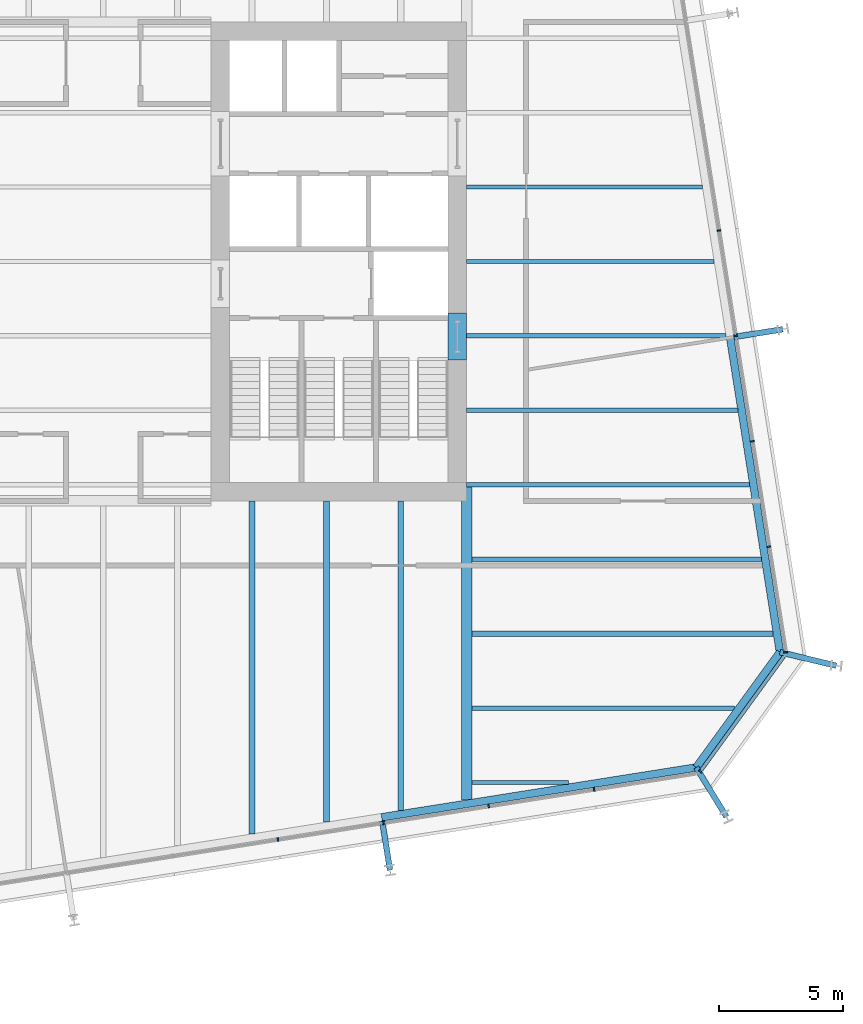
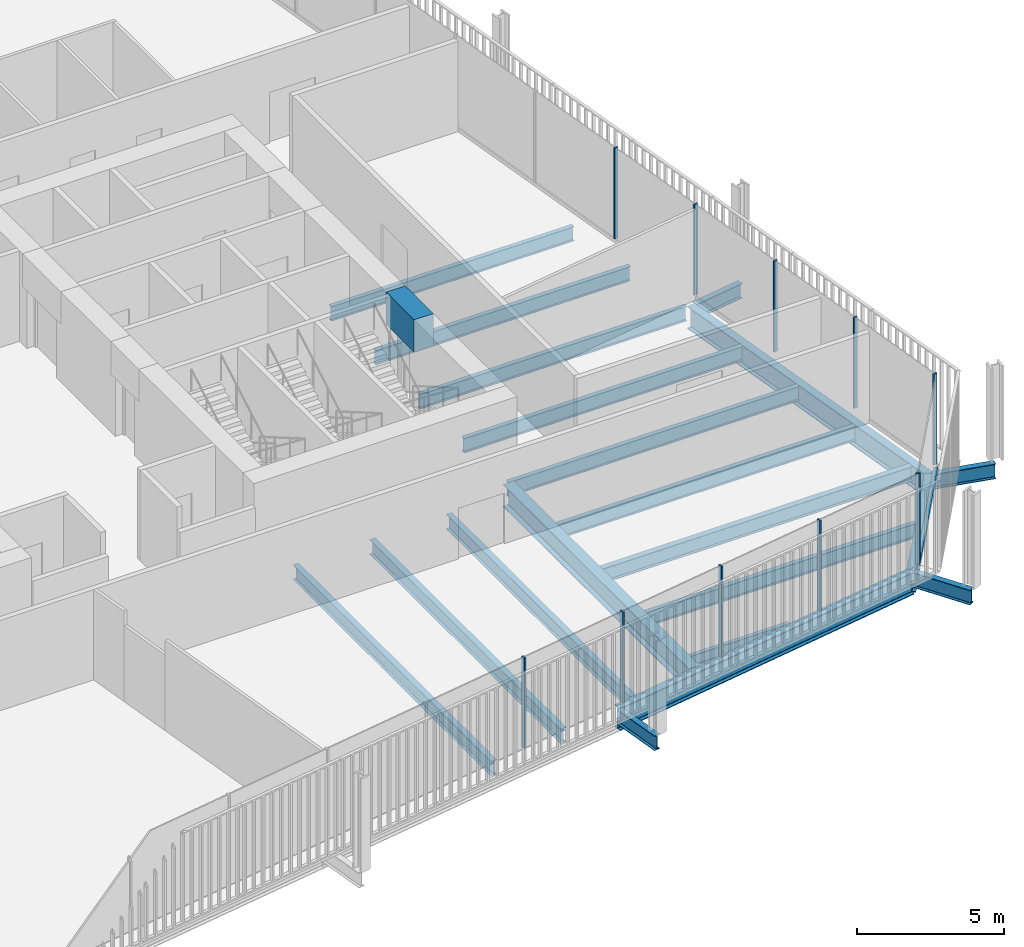
# One storey, part 8 of 21: 21 beams, 11 members, 3 elements without a shape of their own.
"""IFC4 building model written with IfcOpenShell, lengths in metres."""

import ifcopenshell
import ifcopenshell.guid

model = None  # the IFC model being written
_history = None  # IfcOwnerHistory: only IFC2X3 demands one
_inside = {}  # id of a spatial element -> (the spatial element, [elements in it])
_under = {}  # id of a project, library or spatial element -> (it, [spatial elements below it])
_declared = {}  # id of a project -> (the project, [libraries it declares])
_typed = {}  # id of a type object -> (the type object, [elements of that type])
_made_of = {}  # id of a material, layer set ... -> (it, [elements and type objects made of it])


def new_model(schema):
    """Start an empty IFC model of exactly this schema.

    Asked for "IFC4X3", IfcOpenShell would pick the latest addendum, in which some entities
    have other attributes; the version numbers below select the first issue.
    IFC2X3 requires an IfcOwnerHistory on every rooted entity: one is made here for all.
    """
    global model, _history
    if schema == "IFC4X3":
        model = ifcopenshell.file(schema_version=(4, 3, 0, 0))
    else:
        model = ifcopenshell.file(schema=schema)
    _inside.clear()
    _under.clear()
    _declared.clear()
    _typed.clear()
    _made_of.clear()
    _history = None
    if model.schema == "IFC2X3":
        org = make("IfcOrganization", Name="unknown")
        user = make(
            "IfcPersonAndOrganization",
            ThePerson=make("IfcPerson", FamilyName="unknown"),
            TheOrganization=org,
        )
        app = make(
            "IfcApplication",
            ApplicationDeveloper=org,
            Version="unknown",
            ApplicationFullName="unknown",
            ApplicationIdentifier="unknown",
        )
        _history = make(
            "IfcOwnerHistory",
            OwningUser=user,
            OwningApplication=app,
            ChangeAction="ADDED",
            CreationDate=0,
        )
    return model


def make(cls, **values):
    """One entity of the class cls with the attributes given. An attribute that is None is left unset."""
    return model.create_entity(
        cls, **{name: value for name, value in values.items() if value is not None}
    )


def rooted(cls, **values):
    """An entity with a GlobalId (a new one), such as an element, a storey or a relation."""
    return make(cls, GlobalId=ifcopenshell.guid.new(), OwnerHistory=_history, **values)


def si_unit(unit_type, name, prefix=None):
    """IfcSIUnit, for example si_unit("LENGTHUNIT", "METRE", prefix="MILLI")."""
    return make("IfcSIUnit", UnitType=unit_type, Prefix=prefix, Name=name)


def assignment(units):
    """IfcUnitAssignment: the units of a project."""
    return None if units is None else make("IfcUnitAssignment", Units=units)


def point(xyz):
    """IfcCartesianPoint."""
    return None if xyz is None else make("IfcCartesianPoint", Coordinates=xyz)


def direction(xyz):
    """IfcDirection."""
    return None if xyz is None else make("IfcDirection", DirectionRatios=xyz)


def frame(location, z_axis=None, x_axis=None):
    """IfcAxis2Placement3D, a coordinate frame: its origin and axes. An axis left out is left unset."""
    return make(
        "IfcAxis2Placement3D",
        Location=point(location),
        Axis=direction(z_axis),
        RefDirection=direction(x_axis),
    )


def frame_2d(location, x_axis=None):
    """IfcAxis2Placement2D, a coordinate frame in the plane: its origin and x axis."""
    return make(
        "IfcAxis2Placement2D", Location=point(location), RefDirection=direction(x_axis)
    )


def origin():
    """The frame at (0, 0, 0) with its axes left unset."""
    return frame((0.0, 0.0, 0.0))


def origin_2d():
    """The frame at (0, 0) in the plane with its x axis left unset."""
    return frame_2d((0.0, 0.0))


def place(relative_to, where):
    """IfcLocalPlacement: puts the frame where relative to a parent placement (None: the world)."""
    return make(
        "IfcLocalPlacement", PlacementRelTo=relative_to, RelativePlacement=where
    )


def context(
    kind, dimensions, precision=None, world=None, true_north=None, identifier=None
):
    """IfcGeometricRepresentationContext, for example the 3D "Model" context."""
    return make(
        "IfcGeometricRepresentationContext",
        ContextIdentifier=identifier,
        ContextType=kind,
        CoordinateSpaceDimension=dimensions,
        Precision=precision,
        WorldCoordinateSystem=world,
        TrueNorth=true_north,
    )


def subcontext(parent, identifier, kind, view, scale=None):
    """IfcGeometricRepresentationSubContext, for example "Body" below "Model"."""
    return make(
        "IfcGeometricRepresentationSubContext",
        ContextIdentifier=identifier,
        ContextType=kind,
        ParentContext=parent,
        TargetScale=scale,
        TargetView=view,
    )


def project(units=None, contexts=None):
    """IfcProject with its units and contexts."""
    return rooted(
        "IfcProject",
        Name="project",
        RepresentationContexts=contexts,
        UnitsInContext=assignment(units),
    )


def spatial(cls, under=None, at=None, **own):
    """A site, building, storey or space (cls), placed at a placement, below another one or the project."""
    s = rooted(cls, ObjectPlacement=at, **own)
    if under is not None:
        _under.setdefault(under.id(), (under, []))[1].append(s)
    return s


def profile(cls, at=None, kind="AREA", **sizes):
    """A parametric profile (cls). Its sizes go by their IFC names, for example OverallWidth=200.0."""
    return make(cls, ProfileType=kind, Position=at, **sizes)


def rectangle(**sizes):
    """IfcRectangleProfileDef."""
    return profile("IfcRectangleProfileDef", **sizes)


def i_section(**sizes):
    """IfcIShapeProfileDef."""
    return profile("IfcIShapeProfileDef", **sizes)


def extrude(swept, where, along, depth):
    """IfcExtrudedAreaSolid: the profile swept, set in the frame where, extruded along a direction by depth."""
    return make(
        "IfcExtrudedAreaSolid",
        SweptArea=swept,
        Position=where,
        ExtrudedDirection=direction(along),
        Depth=depth,
    )


def shape(context_of_items, identifier, shape_type, items):
    """IfcShapeRepresentation: the items that make up one representation, for example the "Body"."""
    return make(
        "IfcShapeRepresentation",
        ContextOfItems=context_of_items,
        RepresentationIdentifier=identifier,
        RepresentationType=shape_type,
        Items=items,
    )


def material(Name=None, Category=None):
    """IfcMaterial."""
    return make("IfcMaterial", Name=Name, Category=Category)


def layer(
    of_material, thickness, ventilated=None, Name=None, Category=None, Priority=None
):
    """IfcMaterialLayer: one layer of a wall or slab, of a material (None: an air gap)."""
    return make(
        "IfcMaterialLayer",
        Material=of_material,
        LayerThickness=thickness,
        IsVentilated=ventilated,
        Name=Name,
        Category=Category,
        Priority=Priority,
    )


def layer_set(layers, Name=None):
    """IfcMaterialLayerSet."""
    return make("IfcMaterialLayerSet", MaterialLayers=layers, LayerSetName=Name)


def material_profile(
    of_material, cross_section, Name=None, Category=None, Priority=None
):
    """IfcMaterialProfile: a cross section and its material."""
    return make(
        "IfcMaterialProfile",
        Name=Name,
        Material=of_material,
        Profile=cross_section,
        Priority=Priority,
        Category=Category,
    )


def profile_set(profiles, Name=None, composite=None):
    """IfcMaterialProfileSet."""
    return make(
        "IfcMaterialProfileSet",
        Name=Name,
        MaterialProfiles=profiles,
        CompositeProfile=composite,
    )


def made_of(thing, what):
    """Note that an element or type object is made of a material, layer set ...; save() writes the relation."""
    if what is not None:
        _made_of.setdefault(what.id(), (what, []))[1].append(thing)
    return thing


def type_object(cls, material=None, **own):
    """A type object (cls), such as IfcWallType, which elements share."""
    return made_of(rooted(cls, **own), material)


def element(
    cls,
    number,
    at=None,
    inside=None,
    cuts=None,
    type_object=None,
    material=None,
    context=None,
    identifier="Body",
    shape_type=None,
    held_by="IfcProductDefinitionShape",
    body=None,
    shapes=None,
    **own,
):
    """One element of the class cls, such as IfcWall. Its Tag is "e" and its number.

    at: its placement. inside: the storey or other place that contains it. cuts: it is an
    opening in that element (IfcRelVoidsElement). A single representation is given by context,
    identifier, shape_type and body (its items); several are given by shapes. held_by: the class
    of the entity that holds the representations. save() writes the other relations.
    """
    e = rooted(cls, Tag="e%d" % number, ObjectPlacement=at, **own)
    if body is not None:
        shapes = [shape(context, identifier, shape_type, body)]
    if shapes is not None:
        e.Representation = make(held_by, Representations=shapes)
    if inside is not None:
        _inside.setdefault(inside.id(), (inside, []))[1].append(e)
    if cuts is not None:
        rooted(
            "IfcRelVoidsElement", RelatingBuildingElement=cuts, RelatedOpeningElement=e
        )
    if type_object is not None:
        _typed.setdefault(type_object.id(), (type_object, []))[1].append(e)
    return made_of(e, material)


def aggregate(whole, parts):
    """IfcRelAggregates: a whole, such as a stair, and the parts it consists of."""
    return rooted("IfcRelAggregates", RelatingObject=whole, RelatedObjects=parts)


def save(model, path):
    """Write the relations noted so far, then the file.

    IfcRelAggregates (storeys below a building ...), IfcRelContainedInSpatialStructure (elements
    in a storey), IfcRelDefinesByType, IfcRelAssociatesMaterial and IfcRelDeclares: one each for
    every whole, place, type object, material and project.
    """
    for whole, parts in _under.values():
        aggregate(whole, parts)
    for where, things in _inside.values():
        rooted(
            "IfcRelContainedInSpatialStructure",
            RelatedElements=things,
            RelatingStructure=where,
        )
    for kind, things in _typed.values():
        rooted("IfcRelDefinesByType", RelatedObjects=things, RelatingType=kind)
    for what, things in _made_of.values():
        rooted("IfcRelAssociatesMaterial", RelatedObjects=things, RelatingMaterial=what)
    for by, libraries in _declared.values():
        rooted("IfcRelDeclares", RelatingContext=by, RelatedDefinitions=libraries)
    model.write(path)


model = new_model("IFC4")

# Units and contexts
model_context = context("Model", 3, precision=1e-05, world=origin(), true_north=direction((0.0, 1.0)))
body_context = subcontext(model_context, "Body", "Model", "MODEL_VIEW")
ifc_project = project(units=[si_unit("LENGTHUNIT", "METRE"), si_unit("AREAUNIT", "SQUARE_METRE"), si_unit("VOLUMEUNIT", "CUBIC_METRE"), si_unit("PLANEANGLEUNIT", "RADIAN"), si_unit("MASSUNIT", "GRAM", prefix="KILO")], contexts=[model_context])

# Site, building, storey
site_placement = place(None, origin())
site = spatial("IfcSite", under=ifc_project, at=site_placement, CompositionType="ELEMENT")
building_placement = place(site_placement, origin())
building = spatial("IfcBuilding", under=site, at=building_placement, Name="Millrace Tower", CompositionType="ELEMENT")
storey_placement = place(building_placement, frame((0.0, 0.0, 156.800048828125)))
storey = spatial("IfcBuildingStorey", under=building, at=storey_placement, Name="L35", CompositionType="ELEMENT", Elevation=156.800048828125)

# Curtain wall, members
ifc_material_1 = material(Name="Aluminium and glass", Category="aluminium")
ifc_layer = layer(ifc_material_1, 0.14990234375)
ifc_layer_set = layer_set([ifc_layer], Name="Aluminium and glass")
curtain_wall_type = type_object("IfcCurtainWallType", Name="CW-1 office vision curtain wall", PredefinedType="NOTDEFINED", material=ifc_layer_set)
placement = place(storey_placement, origin())
curtain_wall_1 = element("IfcCurtainWall", 1, at=placement, inside=storey, type_object=curtain_wall_type, Name="Curtain wall C-F02 L35", PredefinedType="NOTDEFINED")
ifc_material_2 = material(Name="Aluminium", Category="aluminium")
ifc_material_profile_1 = material_profile(ifc_material_2, rectangle(XDim=0.06494140625, YDim=0.14990234375, at=origin_2d()))
ifc_profile_set_1 = profile_set([ifc_material_profile_1], Name="Aluminium")
member_type_1 = type_object("IfcMemberType", Name="CW-1 office vision curtain wall mullion", PredefinedType="MULLION", material=ifc_profile_set_1)
member_1_placement = place(storey_placement, frame((7.04345703125, -23.293212890625, 0.139892578125), z_axis=(0.0, 0.0, 1.0), x_axis=(0.98768833929, 0.15643447328, 0.0)))
member_1 = element("IfcMember", 2, at=member_1_placement, type_object=member_type_1, Name="CW1 mullion C-F02.6", PredefinedType="MULLION", context=body_context, shape_type="SweptSolid", body=[
    extrude(rectangle(XDim=0.06494140625, YDim=0.14990234375, at=origin_2d()), origin(), (0.0, 0.0, 1.0), 3.760009765625),
])
member_2_placement = place(storey_placement, frame((11.29052734375, -22.62060546875, 0.139892578125), z_axis=(0.0, 0.0, 1.0), x_axis=(0.98768833929, 0.15643447328, 0.0)))
member_2 = element("IfcMember", 3, at=member_2_placement, type_object=member_type_1, Name="CW1 mullion C-F02.7", PredefinedType="MULLION", context=body_context, shape_type="SweptSolid", body=[
    extrude(rectangle(XDim=0.06494140625, YDim=0.14990234375, at=origin_2d()), origin(), (0.0, 0.0, 1.0), 3.760009765625),
])
member_3_placement = place(storey_placement, frame((15.53759765625, -21.947998046875, 0.139892578125), z_axis=(0.0, 0.0, 1.0), x_axis=(0.98768833929, 0.15643447328, 0.0)))
member_3 = element("IfcMember", 4, at=member_3_placement, type_object=member_type_1, Name="CW1 mullion C-F02.8", PredefinedType="MULLION", context=body_context, shape_type="SweptSolid", body=[
    extrude(rectangle(XDim=0.06494140625, YDim=0.14990234375, at=origin_2d()), origin(), (0.0, 0.0, 1.0), 3.760009765625),
])
member_4_placement = place(storey_placement, frame((19.78466796875, -21.275390625, 0.139892578125), z_axis=(0.0, 0.0, 1.0), x_axis=(0.98768833929, 0.15643447328, 0.0)))
member_4 = element("IfcMember", 5, at=member_4_placement, type_object=member_type_1, Name="CW1 mullion C-F02.9", PredefinedType="MULLION", context=body_context, shape_type="SweptSolid", body=[
    extrude(rectangle(XDim=0.06494140625, YDim=0.14990234375, at=origin_2d()), origin(), (0.0, 0.0, 1.0), 3.760009765625),
])
aggregate(curtain_wall_1, [member_1, member_2, member_3, member_4])

# Curtain wall, member
curtain_wall_2 = element("IfcCurtainWall", 6, at=placement, inside=storey, type_object=curtain_wall_type, Name="Curtain wall C-F03 L35", PredefinedType="NOTDEFINED")
member_5_placement = place(storey_placement, frame((24.06787109375, -20.551513671875, 0.139892578125), z_axis=(0.0, 0.0, 1.0), x_axis=(0.587785269844, 0.809016981623, 0.0)))
member_5 = element("IfcMember", 7, at=member_5_placement, type_object=member_type_1, Name="CW1 mullion C-F03.1", PredefinedType="MULLION", context=body_context, shape_type="SweptSolid", body=[
    extrude(rectangle(XDim=0.06494140625, YDim=0.14990234375, at=origin_2d()), origin(), (0.0, 0.0, 1.0), 3.760009765625),
])

# Curtain wall, members
curtain_wall_3 = element("IfcCurtainWall", 8, at=placement, inside=storey, type_object=curtain_wall_type, Name="Curtain wall C-F04 L35", PredefinedType="NOTDEFINED")
member_6_placement = place(storey_placement, frame((27.506591796875, -15.74169921875, 0.139892578125), z_axis=(0.0, 0.0, 1.0), x_axis=(-0.15643447328, 0.98768833929, 0.0)))
member_6 = element("IfcMember", 9, at=member_6_placement, type_object=member_type_1, Name="CW1 mullion C-F04.1", PredefinedType="MULLION", context=body_context, shape_type="SweptSolid", body=[
    extrude(rectangle(XDim=0.06494140625, YDim=0.14990234375, at=origin_2d()), origin(), (0.0, 0.0, 1.0), 3.760009765625),
])
member_7_placement = place(storey_placement, frame((26.833984375, -11.49462890625, 0.139892578125), z_axis=(0.0, 0.0, 1.0), x_axis=(-0.15643447328, 0.98768833929, 0.0)))
member_7 = element("IfcMember", 10, at=member_7_placement, type_object=member_type_1, Name="CW1 mullion C-F04.2", PredefinedType="MULLION", context=body_context, shape_type="SweptSolid", body=[
    extrude(rectangle(XDim=0.06494140625, YDim=0.14990234375, at=origin_2d()), origin(), (0.0, 0.0, 1.0), 3.760009765625),
])
member_8_placement = place(storey_placement, frame((26.161376953125, -7.24755859375, 0.139892578125), z_axis=(0.0, 0.0, 1.0), x_axis=(-0.15643447328, 0.98768833929, 0.0)))
member_8 = element("IfcMember", 11, at=member_8_placement, type_object=member_type_1, Name="CW1 mullion C-F04.3", PredefinedType="MULLION", context=body_context, shape_type="SweptSolid", body=[
    extrude(rectangle(XDim=0.06494140625, YDim=0.14990234375, at=origin_2d()), origin(), (0.0, 0.0, 1.0), 3.760009765625),
])
member_9_placement = place(storey_placement, frame((25.48876953125, -3.00048828125, 0.139892578125), z_axis=(0.0, 0.0, 1.0), x_axis=(-0.15643447328, 0.98768833929, 0.0)))
member_9 = element("IfcMember", 12, at=member_9_placement, type_object=member_type_1, Name="CW1 mullion C-F04.4", PredefinedType="MULLION", context=body_context, shape_type="SweptSolid", body=[
    extrude(rectangle(XDim=0.06494140625, YDim=0.14990234375, at=origin_2d()), origin(), (0.0, 0.0, 1.0), 3.760009765625),
])
member_10_placement = place(storey_placement, frame((24.81591796875, 1.24658203125, 0.139892578125), z_axis=(0.0, 0.0, 1.0), x_axis=(-0.15643447328, 0.98768833929, 0.0)))
member_10 = element("IfcMember", 13, at=member_10_placement, type_object=member_type_1, Name="CW1 mullion C-F04.5", PredefinedType="MULLION", context=body_context, shape_type="SweptSolid", body=[
    extrude(rectangle(XDim=0.06494140625, YDim=0.14990234375, at=origin_2d()), origin(), (0.0, 0.0, 1.0), 3.760009765625),
])
aggregate(curtain_wall_3, [member_6, member_7, member_8, member_9, member_10])

# Member
ifc_material_3 = material(Name="Aluminium", Category="aluminium")
ifc_material_profile_2 = material_profile(ifc_material_3, rectangle(XDim=0.14990234375, YDim=0.139892578125, at=origin_2d()))
ifc_profile_set_2 = profile_set([ifc_material_profile_2], Name="Aluminium")
member_type_2 = type_object("IfcMemberType", Name="CW-1 office vision curtain wall transom", PredefinedType="USERDEFINED", material=ifc_profile_set_2)
member_11_placement = place(storey_placement, frame((24.107421875, -20.496826171875, 0.070068359375), z_axis=(0.587810581339, 0.808998591139, 0.0), x_axis=(-0.808998591139, 0.587810581339, 0.0)))
member_11 = element("IfcMember", 14, at=member_11_placement, type_object=member_type_2, Name="CW1 transom C-F03.1", ObjectType="TRANSOM", PredefinedType="USERDEFINED", context=body_context, shape_type="SweptSolid", body=[
    extrude(rectangle(XDim=0.14990234375, YDim=0.139892578125, at=origin_2d()), origin(), (0.0, 0.0, 1.0), 5.6689453125),
])

aggregate(curtain_wall_2, [member_5, member_11])

# Beams
ifc_material_4 = material(Name="Concrete C70", Category="concrete")
ifc_material_profile_3 = material_profile(ifc_material_4, rectangle(XDim=0.75, YDim=1.340087890625, at=origin_2d()))
ifc_profile_set_3 = profile_set([ifc_material_profile_3], Name="Concrete C70")
beam_type_1 = type_object("IfcBeamType", Name="Coupling beam 750 x 1340 Concrete C70, 1300 opening", PredefinedType="BEAM", material=ifc_profile_set_3)
beam_1_placement = place(storey_placement, frame((14.27490234375, -2.080078125, 3.070068359375), z_axis=(0.0, -1.0, 0.0), x_axis=(1.0, 0.0, 0.0)))
element("IfcBeam", 15, at=beam_1_placement, inside=storey, type_object=beam_type_1, Name="Coupling beam E L35", PredefinedType="BEAM", context=body_context, shape_type="SweptSolid", body=[
    extrude(rectangle(XDim=0.75, YDim=1.340087890625, at=origin_2d()), origin(), (0.0, 0.0, 1.0), 1.89990234375),
])
ifc_material_5 = material(Name="Steel ASTM A992 Grade 50", Category="steel")
ifc_material_profile_4 = material_profile(ifc_material_5, i_section(OverallWidth=0.15234375, OverallDepth=0.449462890625, WebThickness=0.007568359375, FlangeThickness=0.0107421875, FilletRadius=0.01025390625, at=origin_2d()))
ifc_profile_set_4 = profile_set([ifc_material_profile_4], Name="Steel ASTM A992 Grade 50")
beam_type_2 = type_object("IfcBeamType", Name="Floor beam W18x35", PredefinedType="JOIST", material=ifc_profile_set_4)
beam_2_placement = place(storey_placement, frame((14.859619140625, -21.0, -0.384765625), z_axis=(1.0, 0.0, 0.0), x_axis=(0.0, 1.0, 0.0)))
element("IfcBeam", 16, at=beam_2_placement, inside=storey, type_object=beam_type_2, Name="BM-C-L35-S1-S003", PredefinedType="JOIST", context=body_context, shape_type="SweptSolid", body=[
    extrude(i_section(OverallWidth=0.15234375, OverallDepth=0.449462890625, WebThickness=0.007568359375, FlangeThickness=0.0107421875, FilletRadius=0.01025390625, at=origin_2d()), origin(), (0.0, 0.0, 1.0), 3.9033203125),
])
ifc_material_6 = material(Name="Steel ASTM A992 Grade 50", Category="steel")
ifc_material_profile_5 = material_profile(ifc_material_6, i_section(OverallWidth=0.177978515625, OverallDepth=0.599365234375, WebThickness=0.010009765625, FlangeThickness=0.012939453125, FilletRadius=0.012939453125, at=origin_2d()))
ifc_profile_set_5 = profile_set([ifc_material_profile_5], Name="Steel ASTM A992 Grade 50")
beam_type_3 = type_object("IfcBeamType", Name="Floor beam W24x55", PredefinedType="JOIST", material=ifc_profile_set_5)
beam_3_placement = place(storey_placement, frame((14.64990234375, 0.0, -0.459716796875), z_axis=(1.0, 0.0, 0.0), x_axis=(0.0, 1.0, 0.0)))
element("IfcBeam", 17, at=beam_3_placement, inside=storey, type_object=beam_type_3, Name="BM-C-L35-S1-S021", PredefinedType="JOIST", context=body_context, shape_type="SweptSolid", body=[
    extrude(i_section(OverallWidth=0.177978515625, OverallDepth=0.599365234375, WebThickness=0.010009765625, FlangeThickness=0.012939453125, FilletRadius=0.012939453125, at=origin_2d()), origin(), (0.0, 0.0, 1.0), 9.976318359375),
])
beam_4_placement = place(storey_placement, frame((14.64990234375, 3.0, -0.459716796875), z_axis=(1.0, 0.0, 0.0), x_axis=(0.0, 1.0, 0.0)))
element("IfcBeam", 18, at=beam_4_placement, inside=storey, type_object=beam_type_3, Name="BM-C-L35-S1-S024", PredefinedType="JOIST", context=body_context, shape_type="SweptSolid", body=[
    extrude(i_section(OverallWidth=0.177978515625, OverallDepth=0.599365234375, WebThickness=0.010009765625, FlangeThickness=0.012939453125, FilletRadius=0.012939453125, at=origin_2d()), origin(), (0.0, 0.0, 1.0), 9.501220703125),
])
ifc_material_7 = material(Name="Steel ASTM A992 Grade 50", Category="steel")
ifc_material_profile_6 = material_profile(ifc_material_7, i_section(OverallWidth=0.1787109375, OverallDepth=0.60205078125, WebThickness=0.010986328125, FlangeThickness=0.014892578125, FilletRadius=0.0126953125, at=origin_2d()))
ifc_profile_set_6 = profile_set([ifc_material_profile_6], Name="Steel ASTM A992 Grade 50")
beam_type_4 = type_object("IfcBeamType", Name="Floor beam W24x62", PredefinedType="JOIST", material=ifc_profile_set_6)
beam_5_placement = place(storey_placement, frame((14.859619140625, -12.0, -0.4609375), z_axis=(1.0, 0.0, 0.0), x_axis=(0.0, 1.0, 0.0)))
element("IfcBeam", 19, at=beam_5_placement, inside=storey, type_object=beam_type_4, Name="BM-C-L35-S1-S009", PredefinedType="JOIST", context=body_context, shape_type="SweptSolid", body=[
    extrude(i_section(OverallWidth=0.1787109375, OverallDepth=0.60205078125, WebThickness=0.010986328125, FlangeThickness=0.014892578125, FilletRadius=0.0126953125, at=origin_2d()), origin(), (0.0, 0.0, 1.0), 11.667236328125),
])
beam_6_placement = place(storey_placement, frame((14.64990234375, -9.0, -0.4609375), z_axis=(1.0, 0.0, 0.0), x_axis=(0.0, 1.0, 0.0)))
element("IfcBeam", 20, at=beam_6_placement, inside=storey, type_object=beam_type_4, Name="BM-C-L35-S1-S012", PredefinedType="JOIST", context=body_context, shape_type="SweptSolid", body=[
    extrude(i_section(OverallWidth=0.1787109375, OverallDepth=0.60205078125, WebThickness=0.010986328125, FlangeThickness=0.014892578125, FilletRadius=0.0126953125, at=origin_2d()), origin(), (0.0, 0.0, 1.0), 11.40185546875),
])
beam_7_placement = place(storey_placement, frame((14.64990234375, -6.0, -0.4609375), z_axis=(1.0, 0.0, 0.0), x_axis=(0.0, 1.0, 0.0)))
element("IfcBeam", 21, at=beam_7_placement, inside=storey, type_object=beam_type_4, Name="BM-C-L35-S1-S015", PredefinedType="JOIST", context=body_context, shape_type="SweptSolid", body=[
    extrude(i_section(OverallWidth=0.1787109375, OverallDepth=0.60205078125, WebThickness=0.010986328125, FlangeThickness=0.014892578125, FilletRadius=0.0126953125, at=origin_2d()), origin(), (0.0, 0.0, 1.0), 10.9267578125),
])
beam_8_placement = place(storey_placement, frame((14.64990234375, -3.0, -0.4609375), z_axis=(1.0, 0.0, 0.0), x_axis=(0.0, 1.0, 0.0)))
element("IfcBeam", 22, at=beam_8_placement, inside=storey, type_object=beam_type_4, Name="BM-C-L35-S1-S018", PredefinedType="JOIST", context=body_context, shape_type="SweptSolid", body=[
    extrude(i_section(OverallWidth=0.1787109375, OverallDepth=0.60205078125, WebThickness=0.010986328125, FlangeThickness=0.014892578125, FilletRadius=0.0126953125, at=origin_2d()), origin(), (0.0, 0.0, 1.0), 10.45166015625),
])
beam_9_placement = place(storey_placement, frame((14.859619140625, -18.0, -0.4609375), z_axis=(1.0, 0.0, 0.0), x_axis=(0.0, 1.0, 0.0)))
element("IfcBeam", 23, at=beam_9_placement, inside=storey, type_object=beam_type_4, Name="BM-C-L35-S1-S005", PredefinedType="JOIST", context=body_context, shape_type="SweptSolid", body=[
    extrude(i_section(OverallWidth=0.1787109375, OverallDepth=0.60205078125, WebThickness=0.010986328125, FlangeThickness=0.014892578125, FilletRadius=0.0126953125, at=origin_2d()), origin(), (0.0, 0.0, 1.0), 10.577392578125),
])
ifc_material_8 = material(Name="Steel ASTM A992 Grade 50", Category="steel")
ifc_material_profile_7 = material_profile(ifc_material_8, i_section(OverallWidth=0.228271484375, OverallDepth=0.607177734375, WebThickness=0.01123046875, FlangeThickness=0.017333984375, FilletRadius=0.0126953125, at=origin_2d()))
ifc_profile_set_7 = profile_set([ifc_material_profile_7], Name="Steel ASTM A992 Grade 50")
beam_type_5 = type_object("IfcBeamType", Name="Floor beam W24x76", PredefinedType="JOIST", material=ifc_profile_set_7)
beam_10_placement = place(storey_placement, frame((14.859619140625, -15.0, -0.463623046875), z_axis=(1.0, 0.0, 0.0), x_axis=(0.0, 1.0, 0.0)))
element("IfcBeam", 24, at=beam_10_placement, inside=storey, type_object=beam_type_5, Name="BM-C-L35-S1-S007", PredefinedType="JOIST", context=body_context, shape_type="SweptSolid", body=[
    extrude(i_section(OverallWidth=0.228271484375, OverallDepth=0.607177734375, WebThickness=0.01123046875, FlangeThickness=0.017333984375, FilletRadius=0.0126953125, at=origin_2d()), origin(), (0.0, 0.0, 1.0), 12.142578125),
])
beam_11_placement = place(storey_placement, frame((6.0, -23.071533203125, -0.463623046875), z_axis=(0.0, 1.0, 0.0), x_axis=(-1.0, 0.0, 0.0)))
element("IfcBeam", 25, at=beam_11_placement, inside=storey, type_object=beam_type_5, Name="BM-C-L35-S1-S052", PredefinedType="JOIST", context=body_context, shape_type="SweptSolid", body=[
    extrude(i_section(OverallWidth=0.228271484375, OverallDepth=0.607177734375, WebThickness=0.01123046875, FlangeThickness=0.017333984375, FilletRadius=0.0126953125, at=origin_2d()), origin(), (0.0, 0.0, 1.0), 13.421630859375),
])
beam_12_placement = place(storey_placement, frame((9.0, -22.596435546875, -0.463623046875), z_axis=(0.0, 1.0, 0.0), x_axis=(-1.0, 0.0, 0.0)))
element("IfcBeam", 26, at=beam_12_placement, inside=storey, type_object=beam_type_5, Name="BM-C-L35-S1-S054", PredefinedType="JOIST", context=body_context, shape_type="SweptSolid", body=[
    extrude(i_section(OverallWidth=0.228271484375, OverallDepth=0.607177734375, WebThickness=0.01123046875, FlangeThickness=0.017333984375, FilletRadius=0.0126953125, at=origin_2d()), origin(), (0.0, 0.0, 1.0), 12.946533203125),
])
beam_13_placement = place(storey_placement, frame((12.0, -22.12109375, -0.463623046875), z_axis=(0.0, 1.0, 0.0), x_axis=(-1.0, 0.0, 0.0)))
element("IfcBeam", 27, at=beam_13_placement, inside=storey, type_object=beam_type_5, Name="BM-C-L35-S1-S056", PredefinedType="JOIST", context=body_context, shape_type="SweptSolid", body=[
    extrude(i_section(OverallWidth=0.228271484375, OverallDepth=0.607177734375, WebThickness=0.01123046875, FlangeThickness=0.017333984375, FilletRadius=0.0126953125, at=origin_2d()), origin(), (0.0, 0.0, 1.0), 12.47119140625),
])
ifc_material_9 = material(Name="Steel ASTM A992 Grade 50", Category="steel")
ifc_material_profile_8 = material_profile(ifc_material_9, i_section(OverallWidth=0.419189453125, OverallDepth=0.927001953125, WebThickness=0.019287109375, FlangeThickness=0.031982421875, FilletRadius=0.024169921875, at=origin_2d()))
ifc_profile_set_8 = profile_set([ifc_material_profile_8], Name="Steel ASTM A992 Grade 50")
beam_type_6 = type_object("IfcBeamType", Name="Girder medium span W36x231", PredefinedType="BEAM", material=ifc_profile_set_8)
beam_14_placement = place(storey_placement, frame((14.64990234375, -21.693603515625, -0.62353515625), z_axis=(0.0, 1.0, 0.0), x_axis=(-1.0, 0.0, 0.0)))
element("IfcBeam", 28, at=beam_14_placement, inside=storey, type_object=beam_type_6, Name="BM-C-L35-S1-G060", PredefinedType="BEAM", context=body_context, shape_type="SweptSolid", body=[
    extrude(i_section(OverallWidth=0.419189453125, OverallDepth=0.927001953125, WebThickness=0.019287109375, FlangeThickness=0.031982421875, FilletRadius=0.024169921875, at=origin_2d()), origin(), (0.0, 0.0, 1.0), 12.603515625),
])
ifc_material_10 = material(Name="Steel ASTM A992 Grade 50", Category="steel")
ifc_material_profile_9 = material_profile(ifc_material_10, i_section(OverallWidth=0.23046875, OverallDepth=0.6171875, WebThickness=0.01318359375, FlangeThickness=0.022216796875, FilletRadius=0.012939453125, at=origin_2d()))
ifc_profile_set_9 = profile_set([ifc_material_profile_9], Name="Steel ASTM A992 Grade 50")
beam_type_7 = type_object("IfcBeamType", Name="Link beam W24x94", PredefinedType="BEAM", material=ifc_profile_set_9)
beam_15_placement = place(storey_placement, frame((25.419677734375, -3.04443359375, -0.46875), z_axis=(0.987678691416, 0.156495375404, 0.0), x_axis=(-0.156495375404, 0.987678691416, 0.0)))
element("IfcBeam", 29, at=beam_15_placement, inside=storey, type_object=beam_type_7, Name="LNK-C-L35-S1-11", PredefinedType="BEAM", context=body_context, shape_type="SweptSolid", body=[
    extrude(i_section(OverallWidth=0.23046875, OverallDepth=0.6171875, WebThickness=0.01318359375, FlangeThickness=0.022216796875, FilletRadius=0.012939453125, at=origin_2d()), origin(), (0.0, 0.0, 1.0), 2.0),
])
beam_16_placement = place(storey_placement, frame((27.27587890625, -15.746826171875, -0.46875), z_axis=(0.972373041068, -0.233432364948, 0.0), x_axis=(0.233432364948, 0.972373041068, 0.0)))
element("IfcBeam", 30, at=beam_16_placement, inside=storey, type_object=beam_type_7, Name="LNK-C-L35-S1-12", PredefinedType="BEAM", context=body_context, shape_type="SweptSolid", body=[
    extrude(i_section(OverallWidth=0.23046875, OverallDepth=0.6171875, WebThickness=0.01318359375, FlangeThickness=0.022216796875, FilletRadius=0.012939453125, at=origin_2d()), origin(), (0.0, 0.0, 1.0), 2.331298828125),
])
beam_17_placement = place(storey_placement, frame((23.901123046875, -20.391845703125, -0.46875), z_axis=(0.522512938711, -0.852631355792, 0.0), x_axis=(0.852631355792, 0.522512938711, 0.0)))
element("IfcBeam", 31, at=beam_17_placement, inside=storey, type_object=beam_type_7, Name="LNK-C-L35-S1-13", PredefinedType="BEAM", context=body_context, shape_type="SweptSolid", body=[
    extrude(i_section(OverallWidth=0.23046875, OverallDepth=0.6171875, WebThickness=0.01318359375, FlangeThickness=0.022216796875, FilletRadius=0.012939453125, at=origin_2d()), origin(), (0.0, 0.0, 1.0), 2.3310546875),
])
beam_18_placement = place(storey_placement, frame((11.246826171875, -22.5517578125, -0.46875), z_axis=(0.15637629034, -0.987697552806, 0.0), x_axis=(0.987697552806, 0.15637629034, 0.0)))
element("IfcBeam", 32, at=beam_18_placement, inside=storey, type_object=beam_type_7, Name="LNK-C-L35-S1-14", PredefinedType="BEAM", context=body_context, shape_type="SweptSolid", body=[
    extrude(i_section(OverallWidth=0.23046875, OverallDepth=0.6171875, WebThickness=0.01318359375, FlangeThickness=0.022216796875, FilletRadius=0.012939453125, at=origin_2d()), origin(), (0.0, 0.0, 1.0), 2.0),
])
ifc_material_11 = material(Name="Steel ASTM A992 Grade 50", Category="steel")
ifc_material_profile_10 = material_profile(ifc_material_11, i_section(OverallWidth=0.307373046875, OverallDepth=0.927001953125, WebThickness=0.01953125, FlangeThickness=0.031982421875, FilletRadius=0.01904296875, at=origin_2d()))
ifc_profile_set_10 = profile_set([ifc_material_profile_10], Name="Steel ASTM A992 Grade 50")
beam_type_8 = type_object("IfcBeamType", Name="Ring beam medium span W36x194", PredefinedType="SPANDREL", material=ifc_profile_set_10)
for number, where, z_axis, x_axis, name in (
    (33, (25.267822265625, -3.068359375, -0.62353515625), (0.15643330783, -0.987688523879, 0.0), (0.987688523879, 0.15643330783, 0.0), "RNG-C-L35-S1-11"),
    (34, (23.901123046875, -20.391845703125, -0.62353515625), (-0.987688523879, -0.15643330783, 0.0), (0.15643330783, -0.987688523879, 0.0), "RNG-C-L35-S1-13"),
):
    element("IfcBeam", number, at=place(storey_placement, frame(where, z_axis=z_axis, x_axis=x_axis)), inside=storey, type_object=beam_type_8, Name=name, PredefinedType="SPANDREL", context=body_context, shape_type="SweptSolid", body=[
        extrude(i_section(OverallWidth=0.307373046875, OverallDepth=0.927001953125, WebThickness=0.01953125, FlangeThickness=0.031982421875, FilletRadius=0.01904296875, at=origin_2d()), origin(), (0.0, 0.0, 1.0), 12.83642578125),
    ])
ifc_material_12 = material(Name="Steel ASTM A992 Grade 50", Category="steel")
ifc_material_profile_11 = material_profile(ifc_material_12, i_section(OverallWidth=0.307373046875, OverallDepth=0.927001953125, WebThickness=0.01953125, FlangeThickness=0.031982421875, FilletRadius=0.01904296875, at=origin_2d()))
ifc_profile_set_11 = profile_set([ifc_material_profile_11], Name="Steel ASTM A992 Grade 50")
beam_type_9 = type_object("IfcBeamType", Name="Ring beam short span W36x194", PredefinedType="SPANDREL", material=ifc_profile_set_11)
beam_19_placement = place(storey_placement, frame((27.27587890625, -15.746826171875, -0.62353515625), z_axis=(-0.58777973792, -0.809021000772, 0.0), x_axis=(0.809021000772, -0.58777973792, 0.0)))
element("IfcBeam", 35, at=beam_19_placement, inside=storey, type_object=beam_type_9, Name="RNG-C-L35-S1-12", PredefinedType="SPANDREL", context=body_context, shape_type="SweptSolid", body=[
    extrude(i_section(OverallWidth=0.307373046875, OverallDepth=0.927001953125, WebThickness=0.01953125, FlangeThickness=0.031982421875, FilletRadius=0.01904296875, at=origin_2d()), origin(), (0.0, 0.0, 1.0), 5.741455078125),
])

save(model, "model.ifc")
